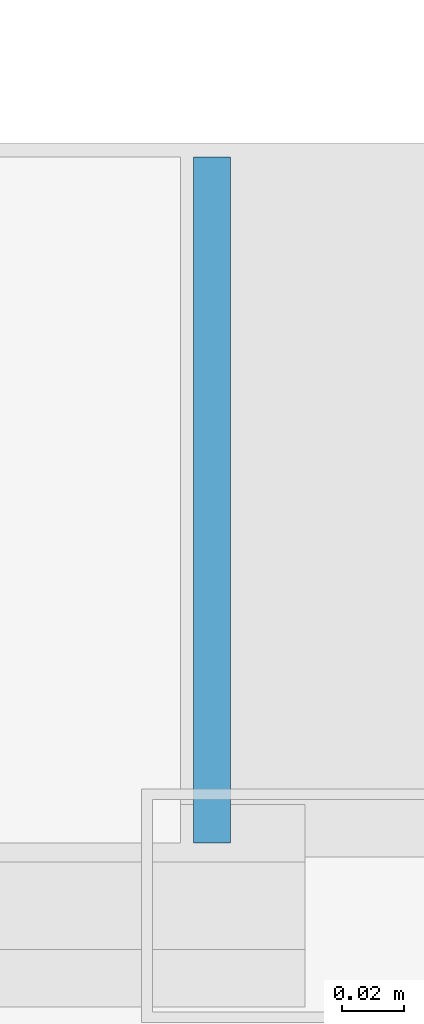
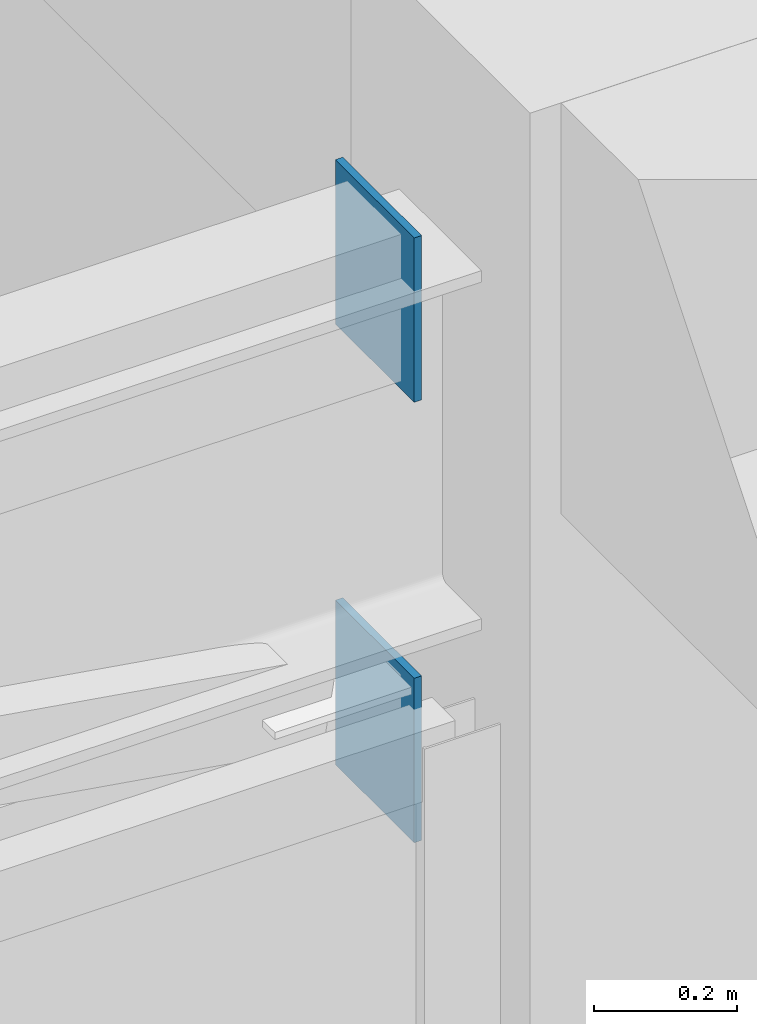
# One storey, part 129 of 153: 2 plates.
"""IFC4 building model written with IfcOpenShell, lengths in metres."""

from ifc_helpers import new_model, si_unit, direction, frame, origin, origin_2d, place, context, subcontext, project, spatial, rectangle, extrude, material, layer, layer_set, type_object, element, save


model = new_model("IFC4")

# Units and contexts
model_context = context("Model", 3, precision=1e-05, world=origin(), true_north=direction((0.0, 1.0)))
body_context = subcontext(model_context, "Body", "Model", "MODEL_VIEW")
ifc_project = project(units=[si_unit("LENGTHUNIT", "METRE"), si_unit("AREAUNIT", "SQUARE_METRE"), si_unit("VOLUMEUNIT", "CUBIC_METRE"), si_unit("PLANEANGLEUNIT", "RADIAN"), si_unit("MASSUNIT", "GRAM", prefix="KILO")], contexts=[model_context])

# Site, building, storey
site_placement = place(None, origin())
site = spatial("IfcSite", under=ifc_project, at=site_placement, CompositionType="ELEMENT")
building_placement = place(site_placement, origin())
building = spatial("IfcBuilding", under=site, at=building_placement, Name="Bramvelor Terrace Health Centre", CompositionType="ELEMENT")
storey_placement = place(building_placement, frame((0.0, 0.0, 4.800048828125)))
storey = spatial("IfcBuildingStorey", under=building, at=storey_placement, Name="L02", CompositionType="ELEMENT", Elevation=4.800048828125)

# Plates
ifc_material = material(Name="Steel S355J2", Category="steel")
ifc_layer = layer(ifc_material, 0.011962890625)
ifc_layer_set = layer_set([ifc_layer], Name="Steel S355J2")
plate_type = type_object("IfcPlateType", Name="PLT-CAP-12", PredefinedType="USERDEFINED", material=ifc_layer_set)
for number, where, z_axis, x_axis, name in (
    (1, (42.85009765625, 57.60009765625, 3.259765625), (0.0, 0.0, 1.0), (1.0, 0.0, 0.0), "BR1 Truss Chord End Plate"),
    (2, (42.85009765625, 57.60009765625, 4.009765625), (0.0, 0.0, 1.0), (1.0, 0.0, 0.0), "BR1 Truss Chord End Plate"),
):
    element("IfcPlate", number, at=place(storey_placement, frame(where, z_axis=z_axis, x_axis=x_axis)), inside=storey, type_object=plate_type, Name=name, ObjectType="GUSSET PLATE", PredefinedType="USERDEFINED", context=body_context, shape_type="SweptSolid", body=[
        extrude(rectangle(XDim=0.011962890625, YDim=0.219970703125, at=origin_2d()), origin(), (0.0, 0.0, 1.0), 0.280029296875),
    ])

save(model, "model.ifc")
